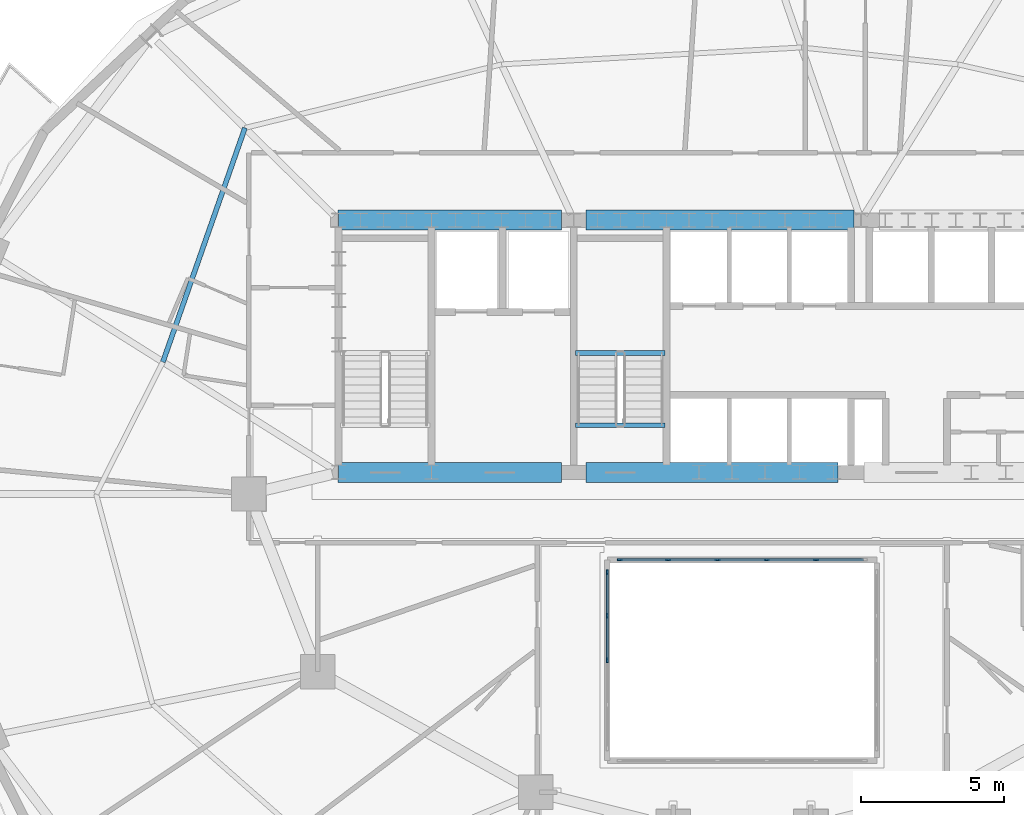
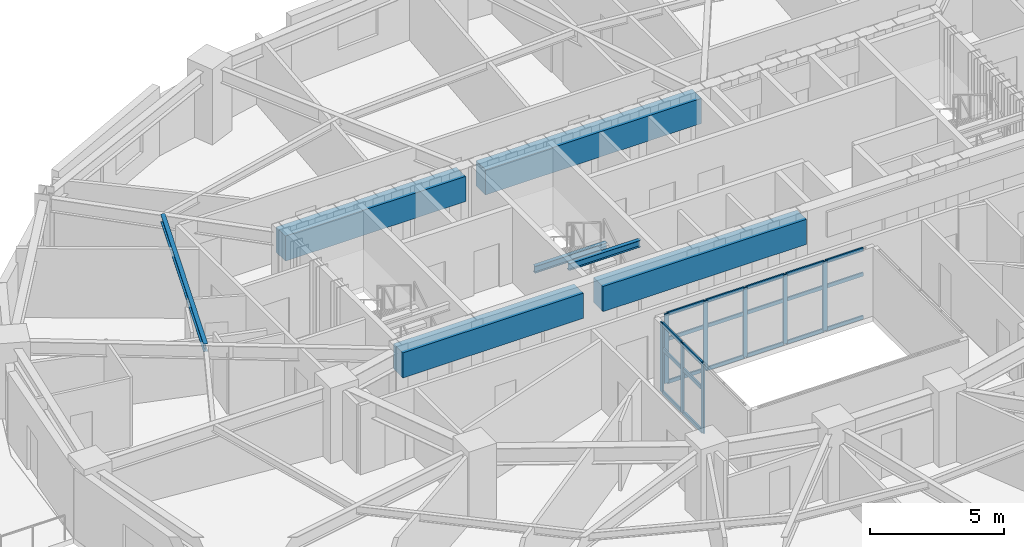
# One storey, part 3 of 14: 29 members, 7 beams, 2 elements without a shape of their own.
"""IFC4 building model written with IfcOpenShell, lengths in metres."""

from ifc_helpers import new_model, si_unit, direction, frame, origin, origin_2d, place, context, subcontext, project, spatial, rectangle, i_section, extrude, material, material_profile, profile_set, type_object, element, aggregate, save


model = new_model("IFC4")

# Units and contexts
model_context = context("Model", 3, precision=1e-05, world=origin(), true_north=direction((0.0, 1.0)))
body_context = subcontext(model_context, "Body", "Model", "MODEL_VIEW")
ifc_project = project(units=[si_unit("LENGTHUNIT", "METRE"), si_unit("AREAUNIT", "SQUARE_METRE"), si_unit("VOLUMEUNIT", "CUBIC_METRE"), si_unit("PLANEANGLEUNIT", "RADIAN"), si_unit("MASSUNIT", "GRAM", prefix="KILO")], contexts=[model_context])

# Site, building, storey
site_placement = place(None, origin())
site = spatial("IfcSite", under=ifc_project, at=site_placement, CompositionType="ELEMENT")
building_placement = place(site_placement, origin())
building = spatial("IfcBuilding", under=site, at=building_placement, Name="Haldorwick Loom Tower", CompositionType="ELEMENT")
storey_placement = place(building_placement, frame((0.0, 0.0, 102.5)))
storey = spatial("IfcBuildingStorey", under=building, at=storey_placement, Name="L27", CompositionType="ELEMENT", Elevation=102.5)

# Curtain wall, members
ifc_material_1 = material(Name="Thermally Broken Anodized Aluminium Curtain Wall Framing", Category="aluminium")
curtain_wall_type = type_object("IfcCurtainWallType", Name="ARC-CW-03", PredefinedType="NOTDEFINED", material=ifc_material_1)
curtain_wall_1_placement = place(storey_placement, origin())
curtain_wall_1 = element("IfcCurtainWall", 1, at=curtain_wall_1_placement, inside=storey, type_object=curtain_wall_type, Name="L27 Atrium Glazed Screen N", PredefinedType="NOTDEFINED")
ifc_material_profile_1 = material_profile(ifc_material_1, rectangle(XDim=0.06591796875, YDim=0.18505859375, at=origin_2d()), Name="ALU_MUL_66X185", Category="aluminium")
ifc_profile_set_1 = profile_set([ifc_material_profile_1], Name="Thermally Broken Anodized Aluminium Curtain Wall Framing")
member_type_1 = type_object("IfcMemberType", Name="ARC-CWM-03", PredefinedType="MULLION", material=ifc_profile_set_1)
member_1_placement = place(storey_placement, frame((31.73291015625, 23.699951171875, 0.0), z_axis=(0.0, 0.0, 1.0), x_axis=(0.0, 1.0, 0.0)))
member_1 = element("IfcMember", 2, at=member_1_placement, type_object=member_type_1, Name="CW-03 mullion 1", PredefinedType="MULLION", context=body_context, shape_type="SweptSolid", body=[
    extrude(rectangle(XDim=0.06591796875, YDim=0.18505859375, at=origin_2d()), origin(), (0.0, 0.0, 1.0), 3.169921875),
])
member_2_placement = place(storey_placement, frame((33.419921875, 23.699951171875, 0.0), z_axis=(0.0, 0.0, 1.0), x_axis=(0.0, 1.0, 0.0)))
member_2 = element("IfcMember", 3, at=member_2_placement, type_object=member_type_1, Name="CW-03 mullion 2", PredefinedType="MULLION", context=body_context, shape_type="SweptSolid", body=[
    extrude(rectangle(XDim=0.06591796875, YDim=0.18505859375, at=origin_2d()), origin(), (0.0, 0.0, 1.0), 3.169921875),
])
member_3_placement = place(storey_placement, frame((35.139892578125, 23.699951171875, 0.0), z_axis=(0.0, 0.0, 1.0), x_axis=(0.0, 1.0, 0.0)))
member_3 = element("IfcMember", 4, at=member_3_placement, type_object=member_type_1, Name="CW-03 mullion 3", PredefinedType="MULLION", context=body_context, shape_type="SweptSolid", body=[
    extrude(rectangle(XDim=0.06591796875, YDim=0.18505859375, at=origin_2d()), origin(), (0.0, 0.0, 1.0), 3.169921875),
])
member_4_placement = place(storey_placement, frame((36.860107421875, 23.699951171875, 0.0), z_axis=(0.0, 0.0, 1.0), x_axis=(0.0, 1.0, 0.0)))
member_4 = element("IfcMember", 5, at=member_4_placement, type_object=member_type_1, Name="CW-03 mullion 4", PredefinedType="MULLION", context=body_context, shape_type="SweptSolid", body=[
    extrude(rectangle(XDim=0.06591796875, YDim=0.18505859375, at=origin_2d()), origin(), (0.0, 0.0, 1.0), 3.169921875),
])
member_5_placement = place(storey_placement, frame((38.580078125, 23.699951171875, 0.0), z_axis=(0.0, 0.0, 1.0), x_axis=(0.0, 1.0, 0.0)))
member_5 = element("IfcMember", 6, at=member_5_placement, type_object=member_type_1, Name="CW-03 mullion 5", PredefinedType="MULLION", context=body_context, shape_type="SweptSolid", body=[
    extrude(rectangle(XDim=0.06591796875, YDim=0.18505859375, at=origin_2d()), origin(), (0.0, 0.0, 1.0), 3.169921875),
])

curtain_wall_2_placement = place(storey_placement, origin())
curtain_wall_2 = element("IfcCurtainWall", 7, at=curtain_wall_2_placement, inside=storey, type_object=curtain_wall_type, Name="L27 Atrium Glazed Screen W", PredefinedType="NOTDEFINED")
member_6_placement = place(storey_placement, frame((31.300048828125, 20.199951171875, 0.0), z_axis=(0.0, 0.0, 1.0), x_axis=(-1.0, 0.0, 0.0)))
member_6 = element("IfcMember", 8, at=member_6_placement, type_object=member_type_1, Name="CW-03 mullion 3", PredefinedType="MULLION", context=body_context, shape_type="SweptSolid", body=[
    extrude(rectangle(XDim=0.06591796875, YDim=0.18505859375, at=origin_2d()), origin(), (0.0, 0.0, 1.0), 3.169921875),
])
member_7_placement = place(storey_placement, frame((31.300048828125, 21.75, 0.0), z_axis=(0.0, 0.0, 1.0), x_axis=(-1.0, 0.0, 0.0)))
member_7 = element("IfcMember", 9, at=member_7_placement, type_object=member_type_1, Name="CW-03 mullion 4", PredefinedType="MULLION", context=body_context, shape_type="SweptSolid", body=[
    extrude(rectangle(XDim=0.06591796875, YDim=0.18505859375, at=origin_2d()), origin(), (0.0, 0.0, 1.0), 3.169921875),
])
member_8_placement = place(storey_placement, frame((31.300048828125, 23.26708984375, 0.0), z_axis=(0.0, 0.0, 1.0), x_axis=(-1.0, 0.0, 0.0)))
member_8 = element("IfcMember", 10, at=member_8_placement, type_object=member_type_1, Name="CW-03 mullion 5", PredefinedType="MULLION", context=body_context, shape_type="SweptSolid", body=[
    extrude(rectangle(XDim=0.06591796875, YDim=0.18505859375, at=origin_2d()), origin(), (0.0, 0.0, 1.0), 3.169921875),
])

# Member
ifc_material_profile_2 = material_profile(ifc_material_1, rectangle(XDim=0.06591796875, YDim=0.1650390625, at=origin_2d()), Name="ALU_TRN_66X165", Category="aluminium")
ifc_profile_set_2 = profile_set([ifc_material_profile_2], Name="Thermally Broken Anodized Aluminium Curtain Wall Framing")
member_type_2 = type_object("IfcMemberType", Name="ARC-CWT-03", PredefinedType="USERDEFINED", material=ifc_profile_set_2)
member_9_placement = place(storey_placement, frame((31.76611328125, 23.699951171875, 0.032958984375), z_axis=(1.0, 0.0, 0.0), x_axis=(0.0, 1.0, 0.0)))
member_9 = element("IfcMember", 11, at=member_9_placement, type_object=member_type_2, Name="CW-03 transom 1.1", ObjectType="TRANSOM", PredefinedType="USERDEFINED", context=body_context, shape_type="SweptSolid", body=[
    extrude(rectangle(XDim=0.06591796875, YDim=0.1650390625, at=origin_2d()), origin(), (0.0, 0.0, 1.0), 1.620849609375),
])

member_10_placement = place(storey_placement, frame((31.76611328125, 23.699951171875, 2.0), z_axis=(1.0, 0.0, 0.0), x_axis=(0.0, 1.0, 0.0)))
member_10 = element("IfcMember", 12, at=member_10_placement, type_object=member_type_2, Name="CW-03 transom 1.2", ObjectType="TRANSOM", PredefinedType="USERDEFINED", context=body_context, shape_type="SweptSolid", body=[
    extrude(rectangle(XDim=0.06591796875, YDim=0.1650390625, at=origin_2d()), origin(), (0.0, 0.0, 1.0), 1.620849609375),
])

member_11_placement = place(storey_placement, frame((31.76611328125, 23.699951171875, 3.136962890625), z_axis=(1.0, 0.0, 0.0), x_axis=(0.0, 1.0, 0.0)))
member_11 = element("IfcMember", 13, at=member_11_placement, type_object=member_type_2, Name="CW-03 transom 1.3", ObjectType="TRANSOM", PredefinedType="USERDEFINED", context=body_context, shape_type="SweptSolid", body=[
    extrude(rectangle(XDim=0.06591796875, YDim=0.1650390625, at=origin_2d()), origin(), (0.0, 0.0, 1.0), 1.620849609375),
])

member_12_placement = place(storey_placement, frame((33.452880859375, 23.699951171875, 0.032958984375), z_axis=(1.0, 0.0, 0.0), x_axis=(0.0, 1.0, 0.0)))
member_12 = element("IfcMember", 14, at=member_12_placement, type_object=member_type_2, Name="CW-03 transom 2.1", ObjectType="TRANSOM", PredefinedType="USERDEFINED", context=body_context, shape_type="SweptSolid", body=[
    extrude(rectangle(XDim=0.06591796875, YDim=0.1650390625, at=origin_2d()), origin(), (0.0, 0.0, 1.0), 1.654052734375),
])

member_13_placement = place(storey_placement, frame((33.452880859375, 23.699951171875, 2.0), z_axis=(1.0, 0.0, 0.0), x_axis=(0.0, 1.0, 0.0)))
member_13 = element("IfcMember", 15, at=member_13_placement, type_object=member_type_2, Name="CW-03 transom 2.2", ObjectType="TRANSOM", PredefinedType="USERDEFINED", context=body_context, shape_type="SweptSolid", body=[
    extrude(rectangle(XDim=0.06591796875, YDim=0.1650390625, at=origin_2d()), origin(), (0.0, 0.0, 1.0), 1.654052734375),
])

member_14_placement = place(storey_placement, frame((33.452880859375, 23.699951171875, 3.136962890625), z_axis=(1.0, 0.0, 0.0), x_axis=(0.0, 1.0, 0.0)))
member_14 = element("IfcMember", 16, at=member_14_placement, type_object=member_type_2, Name="CW-03 transom 2.3", ObjectType="TRANSOM", PredefinedType="USERDEFINED", context=body_context, shape_type="SweptSolid", body=[
    extrude(rectangle(XDim=0.06591796875, YDim=0.1650390625, at=origin_2d()), origin(), (0.0, 0.0, 1.0), 1.654052734375),
])

member_15_placement = place(storey_placement, frame((35.173095703125, 23.699951171875, 0.032958984375), z_axis=(1.0, 0.0, 0.0), x_axis=(0.0, 1.0, 0.0)))
member_15 = element("IfcMember", 17, at=member_15_placement, type_object=member_type_2, Name="CW-03 transom 3.1", ObjectType="TRANSOM", PredefinedType="USERDEFINED", context=body_context, shape_type="SweptSolid", body=[
    extrude(rectangle(XDim=0.06591796875, YDim=0.1650390625, at=origin_2d()), origin(), (0.0, 0.0, 1.0), 1.65380859375),
])

member_16_placement = place(storey_placement, frame((35.173095703125, 23.699951171875, 2.0), z_axis=(1.0, 0.0, 0.0), x_axis=(0.0, 1.0, 0.0)))
member_16 = element("IfcMember", 18, at=member_16_placement, type_object=member_type_2, Name="CW-03 transom 3.2", ObjectType="TRANSOM", PredefinedType="USERDEFINED", context=body_context, shape_type="SweptSolid", body=[
    extrude(rectangle(XDim=0.06591796875, YDim=0.1650390625, at=origin_2d()), origin(), (0.0, 0.0, 1.0), 1.65380859375),
])

member_17_placement = place(storey_placement, frame((35.173095703125, 23.699951171875, 3.136962890625), z_axis=(1.0, 0.0, 0.0), x_axis=(0.0, 1.0, 0.0)))
member_17 = element("IfcMember", 19, at=member_17_placement, type_object=member_type_2, Name="CW-03 transom 3.3", ObjectType="TRANSOM", PredefinedType="USERDEFINED", context=body_context, shape_type="SweptSolid", body=[
    extrude(rectangle(XDim=0.06591796875, YDim=0.1650390625, at=origin_2d()), origin(), (0.0, 0.0, 1.0), 1.65380859375),
])

member_18_placement = place(storey_placement, frame((36.89306640625, 23.699951171875, 0.032958984375), z_axis=(1.0, 0.0, 0.0), x_axis=(0.0, 1.0, 0.0)))
member_18 = element("IfcMember", 20, at=member_18_placement, type_object=member_type_2, Name="CW-03 transom 4.1", ObjectType="TRANSOM", PredefinedType="USERDEFINED", context=body_context, shape_type="SweptSolid", body=[
    extrude(rectangle(XDim=0.06591796875, YDim=0.1650390625, at=origin_2d()), origin(), (0.0, 0.0, 1.0), 1.654052734375),
])

member_19_placement = place(storey_placement, frame((36.89306640625, 23.699951171875, 2.0), z_axis=(1.0, 0.0, 0.0), x_axis=(0.0, 1.0, 0.0)))
member_19 = element("IfcMember", 21, at=member_19_placement, type_object=member_type_2, Name="CW-03 transom 4.2", ObjectType="TRANSOM", PredefinedType="USERDEFINED", context=body_context, shape_type="SweptSolid", body=[
    extrude(rectangle(XDim=0.06591796875, YDim=0.1650390625, at=origin_2d()), origin(), (0.0, 0.0, 1.0), 1.654052734375),
])

member_20_placement = place(storey_placement, frame((36.89306640625, 23.699951171875, 3.136962890625), z_axis=(1.0, 0.0, 0.0), x_axis=(0.0, 1.0, 0.0)))
member_20 = element("IfcMember", 22, at=member_20_placement, type_object=member_type_2, Name="CW-03 transom 4.3", ObjectType="TRANSOM", PredefinedType="USERDEFINED", context=body_context, shape_type="SweptSolid", body=[
    extrude(rectangle(XDim=0.06591796875, YDim=0.1650390625, at=origin_2d()), origin(), (0.0, 0.0, 1.0), 1.654052734375),
])

member_21_placement = place(storey_placement, frame((38.613037109375, 23.699951171875, 0.032958984375), z_axis=(1.0, 0.0, 0.0), x_axis=(0.0, 1.0, 0.0)))
member_21 = element("IfcMember", 23, at=member_21_placement, type_object=member_type_2, Name="CW-03 transom 5.1", ObjectType="TRANSOM", PredefinedType="USERDEFINED", context=body_context, shape_type="SweptSolid", body=[
    extrude(rectangle(XDim=0.06591796875, YDim=0.1650390625, at=origin_2d()), origin(), (0.0, 0.0, 1.0), 1.620849609375),
])

member_22_placement = place(storey_placement, frame((38.613037109375, 23.699951171875, 2.0), z_axis=(1.0, 0.0, 0.0), x_axis=(0.0, 1.0, 0.0)))
member_22 = element("IfcMember", 24, at=member_22_placement, type_object=member_type_2, Name="CW-03 transom 5.2", ObjectType="TRANSOM", PredefinedType="USERDEFINED", context=body_context, shape_type="SweptSolid", body=[
    extrude(rectangle(XDim=0.06591796875, YDim=0.1650390625, at=origin_2d()), origin(), (0.0, 0.0, 1.0), 1.620849609375),
])

member_23_placement = place(storey_placement, frame((38.613037109375, 23.699951171875, 3.136962890625), z_axis=(1.0, 0.0, 0.0), x_axis=(0.0, 1.0, 0.0)))
member_23 = element("IfcMember", 25, at=member_23_placement, type_object=member_type_2, Name="CW-03 transom 5.3", ObjectType="TRANSOM", PredefinedType="USERDEFINED", context=body_context, shape_type="SweptSolid", body=[
    extrude(rectangle(XDim=0.06591796875, YDim=0.1650390625, at=origin_2d()), origin(), (0.0, 0.0, 1.0), 1.620849609375),
])

aggregate(curtain_wall_1, [member_1, member_2, member_3, member_4, member_5, member_9, member_10, member_11, member_12, member_13, member_14, member_15, member_16, member_17, member_18, member_19, member_20, member_21, member_22, member_23])

member_24_placement = place(storey_placement, frame((31.300048828125, 20.23291015625, 0.032958984375), z_axis=(0.0, 1.0, 0.0), x_axis=(-1.0, 0.0, 0.0)))
member_24 = element("IfcMember", 26, at=member_24_placement, type_object=member_type_2, Name="CW-03 transom 3.1", ObjectType="TRANSOM", PredefinedType="USERDEFINED", context=body_context, shape_type="SweptSolid", body=[
    extrude(rectangle(XDim=0.06591796875, YDim=0.1650390625, at=origin_2d()), origin(), (0.0, 0.0, 1.0), 1.484130859375),
])

member_25_placement = place(storey_placement, frame((31.300048828125, 20.23291015625, 2.0), z_axis=(0.0, 1.0, 0.0), x_axis=(-1.0, 0.0, 0.0)))
member_25 = element("IfcMember", 27, at=member_25_placement, type_object=member_type_2, Name="CW-03 transom 3.2", ObjectType="TRANSOM", PredefinedType="USERDEFINED", context=body_context, shape_type="SweptSolid", body=[
    extrude(rectangle(XDim=0.06591796875, YDim=0.1650390625, at=origin_2d()), origin(), (0.0, 0.0, 1.0), 1.484130859375),
])

member_26_placement = place(storey_placement, frame((31.300048828125, 20.23291015625, 3.136962890625), z_axis=(0.0, 1.0, 0.0), x_axis=(-1.0, 0.0, 0.0)))
member_26 = element("IfcMember", 28, at=member_26_placement, type_object=member_type_2, Name="CW-03 transom 3.3", ObjectType="TRANSOM", PredefinedType="USERDEFINED", context=body_context, shape_type="SweptSolid", body=[
    extrude(rectangle(XDim=0.06591796875, YDim=0.1650390625, at=origin_2d()), origin(), (0.0, 0.0, 1.0), 1.484130859375),
])

member_27_placement = place(storey_placement, frame((31.300048828125, 21.782958984375, 0.032958984375), z_axis=(0.0, 1.0, 0.0), x_axis=(-1.0, 0.0, 0.0)))
member_27 = element("IfcMember", 29, at=member_27_placement, type_object=member_type_2, Name="CW-03 transom 4.1", ObjectType="TRANSOM", PredefinedType="USERDEFINED", context=body_context, shape_type="SweptSolid", body=[
    extrude(rectangle(XDim=0.06591796875, YDim=0.1650390625, at=origin_2d()), origin(), (0.0, 0.0, 1.0), 1.450927734375),
])

member_28_placement = place(storey_placement, frame((31.300048828125, 21.782958984375, 2.0), z_axis=(0.0, 1.0, 0.0), x_axis=(-1.0, 0.0, 0.0)))
member_28 = element("IfcMember", 30, at=member_28_placement, type_object=member_type_2, Name="CW-03 transom 4.2", ObjectType="TRANSOM", PredefinedType="USERDEFINED", context=body_context, shape_type="SweptSolid", body=[
    extrude(rectangle(XDim=0.06591796875, YDim=0.1650390625, at=origin_2d()), origin(), (0.0, 0.0, 1.0), 1.450927734375),
])

member_29_placement = place(storey_placement, frame((31.300048828125, 21.782958984375, 3.136962890625), z_axis=(0.0, 1.0, 0.0), x_axis=(-1.0, 0.0, 0.0)))
member_29 = element("IfcMember", 31, at=member_29_placement, type_object=member_type_2, Name="CW-03 transom 4.3", ObjectType="TRANSOM", PredefinedType="USERDEFINED", context=body_context, shape_type="SweptSolid", body=[
    extrude(rectangle(XDim=0.06591796875, YDim=0.1650390625, at=origin_2d()), origin(), (0.0, 0.0, 1.0), 1.450927734375),
])

aggregate(curtain_wall_2, [member_6, member_7, member_8, member_24, member_25, member_26, member_27, member_28, member_29])

# Beams
ifc_material_2 = material(Name="Concrete C60 (60 MPa)", Category="concrete")
ifc_material_profile_3 = material_profile(ifc_material_2, rectangle(XDim=0.699951171875, YDim=1.14990234375, at=origin_2d()), Name="RC700X1150", Category="concrete")
ifc_profile_set_3 = profile_set([ifc_material_profile_3], Name="Concrete C60 (60 MPa)")
beam_type_1 = type_object("IfcBeamType", Name="STR-BM-CB1150", PredefinedType="LINTEL", material=ifc_profile_set_3)
beam_1_placement = place(storey_placement, frame((21.89990234375, 35.550048828125, 2.594970703125), z_axis=(1.0, 0.0, 0.0), x_axis=(0.0, 1.0, 0.0)))
element("IfcBeam", 32, at=beam_1_placement, inside=storey, type_object=beam_type_1, Name="L27 Core Coupling Beam CB-N1", PredefinedType="LINTEL", context=body_context, shape_type="SweptSolid", body=[
    extrude(rectangle(XDim=0.699951171875, YDim=1.14990234375, at=origin_2d()), origin(), (0.0, 0.0, 1.0), 7.800048828125),
])
beam_2_placement = place(storey_placement, frame((30.550048828125, 35.550048828125, 2.594970703125), z_axis=(1.0, 0.0, 0.0), x_axis=(0.0, 1.0, 0.0)))
element("IfcBeam", 33, at=beam_2_placement, inside=storey, type_object=beam_type_1, Name="L27 Core Coupling Beam CB-N2", PredefinedType="LINTEL", context=body_context, shape_type="SweptSolid", body=[
    extrude(rectangle(XDim=0.699951171875, YDim=1.14990234375, at=origin_2d()), origin(), (0.0, 0.0, 1.0), 9.349853515625),
])
beam_3_placement = place(storey_placement, frame((21.89990234375, 26.75, 2.594970703125), z_axis=(1.0, 0.0, 0.0), x_axis=(0.0, 1.0, 0.0)))
element("IfcBeam", 34, at=beam_3_placement, inside=storey, type_object=beam_type_1, Name="L27 Core Coupling Beam CB-S1", PredefinedType="LINTEL", context=body_context, shape_type="SweptSolid", body=[
    extrude(rectangle(XDim=0.699951171875, YDim=1.14990234375, at=origin_2d()), origin(), (0.0, 0.0, 1.0), 7.800048828125),
])
beam_4_placement = place(storey_placement, frame((30.550048828125, 26.75, 2.594970703125), z_axis=(1.0, 0.0, 0.0), x_axis=(0.0, 1.0, 0.0)))
element("IfcBeam", 35, at=beam_4_placement, inside=storey, type_object=beam_type_1, Name="L27 Core Coupling Beam CB-S2", PredefinedType="LINTEL", context=body_context, shape_type="SweptSolid", body=[
    extrude(rectangle(XDim=0.699951171875, YDim=1.14990234375, at=origin_2d()), origin(), (0.0, 0.0, 1.0), 8.800048828125),
])
ifc_material_3 = material(Name="Steel CSA G40.21 350W", Category="steel")
ifc_material_profile_4 = material_profile(ifc_material_3, i_section(OverallWidth=0.172119140625, OverallDepth=0.35791015625, WebThickness=0.0078125, FlangeThickness=0.01318359375, at=origin_2d()), Name="W360X57", Category="steel")
ifc_profile_set_4 = profile_set([ifc_material_profile_4], Name="Steel CSA G40.21 350W")
beam_type_2 = type_object("IfcBeamType", Name="STR-BM-J360", PredefinedType="JOIST", material=ifc_profile_set_4)
beam_5_placement = place(storey_placement, frame((18.66162109375, 38.765869140625, 2.990966796875), z_axis=(-0.330864603503, -0.943678236556, 0.0), x_axis=(0.943678236556, -0.330864603503, 0.0)))
element("IfcBeam", 36, at=beam_5_placement, inside=storey, type_object=beam_type_2, Name="L27 Mid-Bay Secondary Joist 7", PredefinedType="JOIST", context=body_context, shape_type="SweptSolid", body=[
    extrude(i_section(OverallWidth=0.172119140625, OverallDepth=0.35791015625, WebThickness=0.0078125, FlangeThickness=0.01318359375, at=origin_2d()), origin(), (0.0, 0.0, 1.0), 8.6494140625),
])
ifc_material_profile_5 = material_profile(ifc_material_3, i_section(OverallWidth=0.166015625, OverallDepth=0.31298828125, WebThickness=0.006591796875, FlangeThickness=0.01123046875, at=origin_2d()), Name="W310X45", Category="steel")
ifc_profile_set_5 = profile_set([ifc_material_profile_5], Name="Steel CSA G40.21 350W")
beam_type_3 = type_object("IfcBeamType", Name="STR-BM-STRM", PredefinedType="BEAM", material=ifc_profile_set_5)
for number, where, z_axis, x_axis, name in (
    (37, (30.18994140625, 28.39990234375, 3.013427734375), (1.0, 0.0, 0.0), (0.0, 1.0, 0.0), "L27 Stair ST-03 Landing Edge Trimmer"),
    (38, (30.18994140625, 30.919921875, 1.368408203125), (1.0, 0.0, 0.0), (0.0, 1.0, 0.0), "L27 Stair ST-03 Half-Landing Trimmer 1"),
):
    element("IfcBeam", number, at=place(storey_placement, frame(where, z_axis=z_axis, x_axis=x_axis)), inside=storey, type_object=beam_type_3, Name=name, PredefinedType="BEAM", context=body_context, shape_type="SweptSolid", body=[
        extrude(i_section(OverallWidth=0.166015625, OverallDepth=0.31298828125, WebThickness=0.006591796875, FlangeThickness=0.01123046875, at=origin_2d()), origin(), (0.0, 0.0, 1.0), 3.1201171875),
    ])

save(model, "model.ifc")
